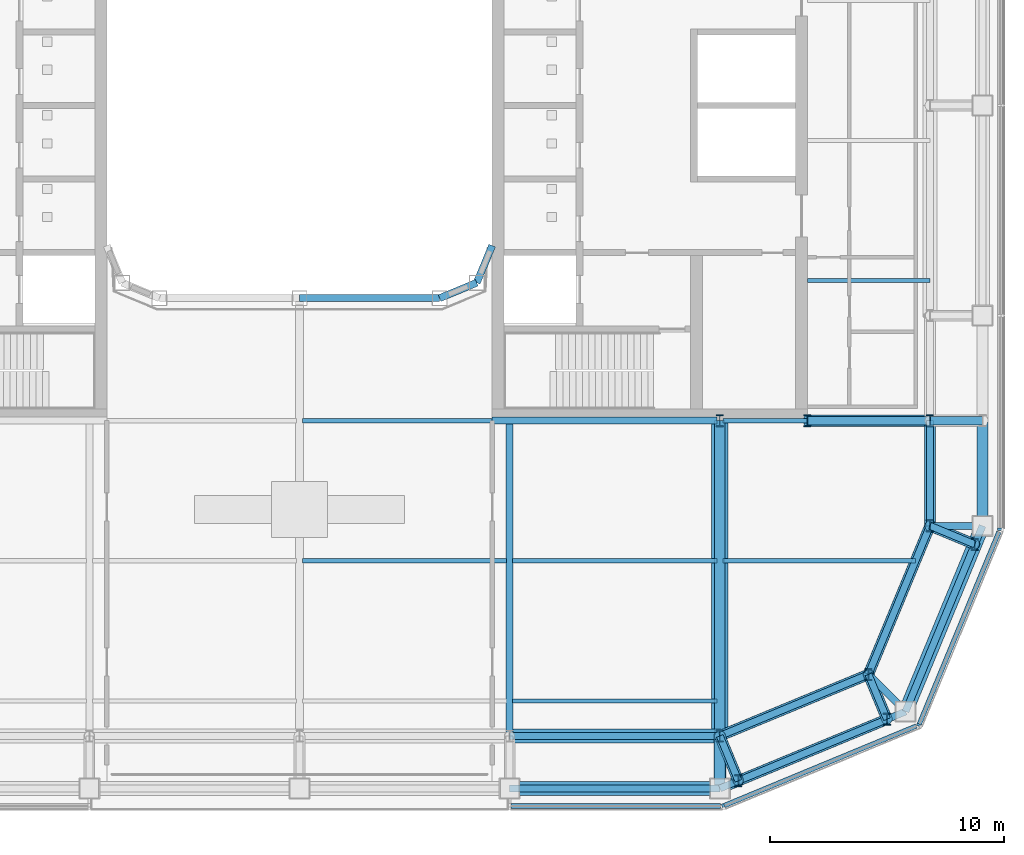
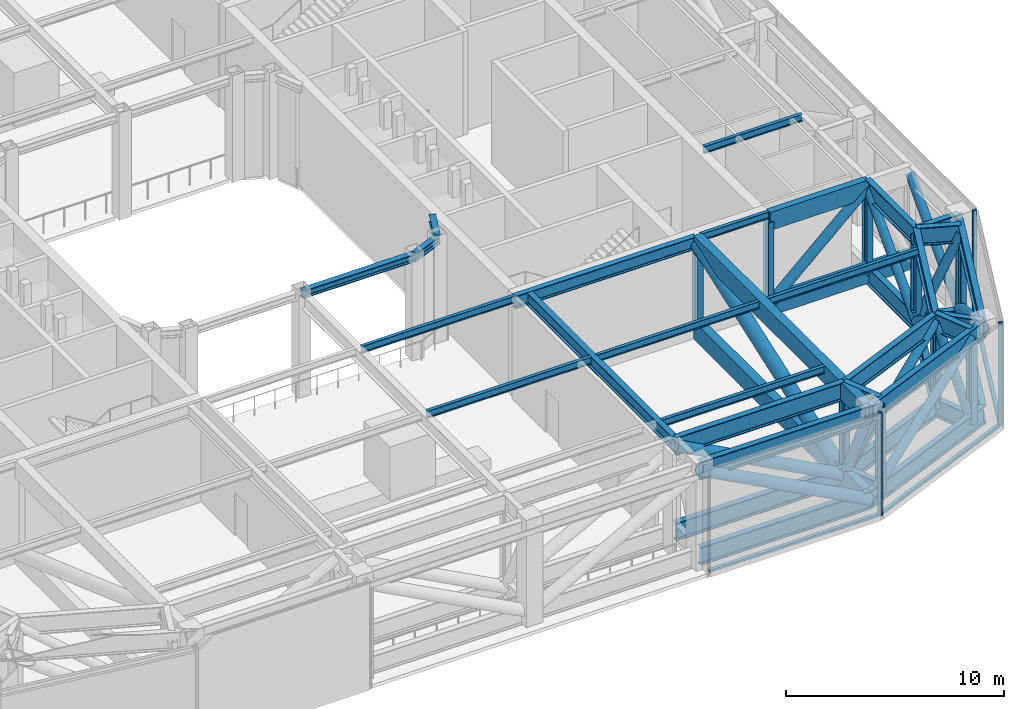
# One storey, part 4 of 22: 39 beams, 29 members, 4 elements without a shape of their own.
"""IFC4 building model written with IfcOpenShell, lengths in metres."""

import ifcopenshell
import ifcopenshell.guid

model = None  # the IFC model being written
_history = None  # IfcOwnerHistory: only IFC2X3 demands one
_inside = {}  # id of a spatial element -> (the spatial element, [elements in it])
_under = {}  # id of a project, library or spatial element -> (it, [spatial elements below it])
_declared = {}  # id of a project -> (the project, [libraries it declares])
_typed = {}  # id of a type object -> (the type object, [elements of that type])
_made_of = {}  # id of a material, layer set ... -> (it, [elements and type objects made of it])


def new_model(schema):
    """Start an empty IFC model of exactly this schema.

    Asked for "IFC4X3", IfcOpenShell would pick the latest addendum, in which some entities
    have other attributes; the version numbers below select the first issue.
    IFC2X3 requires an IfcOwnerHistory on every rooted entity: one is made here for all.
    """
    global model, _history
    if schema == "IFC4X3":
        model = ifcopenshell.file(schema_version=(4, 3, 0, 0))
    else:
        model = ifcopenshell.file(schema=schema)
    _inside.clear()
    _under.clear()
    _declared.clear()
    _typed.clear()
    _made_of.clear()
    _history = None
    if model.schema == "IFC2X3":
        org = make("IfcOrganization", Name="unknown")
        user = make(
            "IfcPersonAndOrganization",
            ThePerson=make("IfcPerson", FamilyName="unknown"),
            TheOrganization=org,
        )
        app = make(
            "IfcApplication",
            ApplicationDeveloper=org,
            Version="unknown",
            ApplicationFullName="unknown",
            ApplicationIdentifier="unknown",
        )
        _history = make(
            "IfcOwnerHistory",
            OwningUser=user,
            OwningApplication=app,
            ChangeAction="ADDED",
            CreationDate=0,
        )
    return model


def make(cls, **values):
    """One entity of the class cls with the attributes given. An attribute that is None is left unset."""
    return model.create_entity(
        cls, **{name: value for name, value in values.items() if value is not None}
    )


def rooted(cls, **values):
    """An entity with a GlobalId (a new one), such as an element, a storey or a relation."""
    return make(cls, GlobalId=ifcopenshell.guid.new(), OwnerHistory=_history, **values)


def si_unit(unit_type, name, prefix=None):
    """IfcSIUnit, for example si_unit("LENGTHUNIT", "METRE", prefix="MILLI")."""
    return make("IfcSIUnit", UnitType=unit_type, Prefix=prefix, Name=name)


def assignment(units):
    """IfcUnitAssignment: the units of a project."""
    return None if units is None else make("IfcUnitAssignment", Units=units)


def point(xyz):
    """IfcCartesianPoint."""
    return None if xyz is None else make("IfcCartesianPoint", Coordinates=xyz)


def direction(xyz):
    """IfcDirection."""
    return None if xyz is None else make("IfcDirection", DirectionRatios=xyz)


def frame(location, z_axis=None, x_axis=None):
    """IfcAxis2Placement3D, a coordinate frame: its origin and axes. An axis left out is left unset."""
    return make(
        "IfcAxis2Placement3D",
        Location=point(location),
        Axis=direction(z_axis),
        RefDirection=direction(x_axis),
    )


def frame_2d(location, x_axis=None):
    """IfcAxis2Placement2D, a coordinate frame in the plane: its origin and x axis."""
    return make(
        "IfcAxis2Placement2D", Location=point(location), RefDirection=direction(x_axis)
    )


def origin():
    """The frame at (0, 0, 0) with its axes left unset."""
    return frame((0.0, 0.0, 0.0))


def origin_2d():
    """The frame at (0, 0) in the plane with its x axis left unset."""
    return frame_2d((0.0, 0.0))


def place(relative_to, where):
    """IfcLocalPlacement: puts the frame where relative to a parent placement (None: the world)."""
    return make(
        "IfcLocalPlacement", PlacementRelTo=relative_to, RelativePlacement=where
    )


def context(
    kind, dimensions, precision=None, world=None, true_north=None, identifier=None
):
    """IfcGeometricRepresentationContext, for example the 3D "Model" context."""
    return make(
        "IfcGeometricRepresentationContext",
        ContextIdentifier=identifier,
        ContextType=kind,
        CoordinateSpaceDimension=dimensions,
        Precision=precision,
        WorldCoordinateSystem=world,
        TrueNorth=true_north,
    )


def subcontext(parent, identifier, kind, view, scale=None):
    """IfcGeometricRepresentationSubContext, for example "Body" below "Model"."""
    return make(
        "IfcGeometricRepresentationSubContext",
        ContextIdentifier=identifier,
        ContextType=kind,
        ParentContext=parent,
        TargetScale=scale,
        TargetView=view,
    )


def project(units=None, contexts=None):
    """IfcProject with its units and contexts."""
    return rooted(
        "IfcProject",
        Name="project",
        RepresentationContexts=contexts,
        UnitsInContext=assignment(units),
    )


def spatial(cls, under=None, at=None, **own):
    """A site, building, storey or space (cls), placed at a placement, below another one or the project."""
    s = rooted(cls, ObjectPlacement=at, **own)
    if under is not None:
        _under.setdefault(under.id(), (under, []))[1].append(s)
    return s


def profile(cls, at=None, kind="AREA", **sizes):
    """A parametric profile (cls). Its sizes go by their IFC names, for example OverallWidth=200.0."""
    return make(cls, ProfileType=kind, Position=at, **sizes)


def rectangle(**sizes):
    """IfcRectangleProfileDef."""
    return profile("IfcRectangleProfileDef", **sizes)


def hollow_rectangle(**sizes):
    """IfcRectangleHollowProfileDef."""
    return profile("IfcRectangleHollowProfileDef", **sizes)


def hollow_circle(**sizes):
    """IfcCircleHollowProfileDef."""
    return profile("IfcCircleHollowProfileDef", **sizes)


def i_section(**sizes):
    """IfcIShapeProfileDef."""
    return profile("IfcIShapeProfileDef", **sizes)


def extrude(swept, where, along, depth):
    """IfcExtrudedAreaSolid: the profile swept, set in the frame where, extruded along a direction by depth."""
    return make(
        "IfcExtrudedAreaSolid",
        SweptArea=swept,
        Position=where,
        ExtrudedDirection=direction(along),
        Depth=depth,
    )


def shape(context_of_items, identifier, shape_type, items):
    """IfcShapeRepresentation: the items that make up one representation, for example the "Body"."""
    return make(
        "IfcShapeRepresentation",
        ContextOfItems=context_of_items,
        RepresentationIdentifier=identifier,
        RepresentationType=shape_type,
        Items=items,
    )


def material(Name=None, Category=None):
    """IfcMaterial."""
    return make("IfcMaterial", Name=Name, Category=Category)


def layer(
    of_material, thickness, ventilated=None, Name=None, Category=None, Priority=None
):
    """IfcMaterialLayer: one layer of a wall or slab, of a material (None: an air gap)."""
    return make(
        "IfcMaterialLayer",
        Material=of_material,
        LayerThickness=thickness,
        IsVentilated=ventilated,
        Name=Name,
        Category=Category,
        Priority=Priority,
    )


def layer_set(layers, Name=None):
    """IfcMaterialLayerSet."""
    return make("IfcMaterialLayerSet", MaterialLayers=layers, LayerSetName=Name)


def material_profile(
    of_material, cross_section, Name=None, Category=None, Priority=None
):
    """IfcMaterialProfile: a cross section and its material."""
    return make(
        "IfcMaterialProfile",
        Name=Name,
        Material=of_material,
        Profile=cross_section,
        Priority=Priority,
        Category=Category,
    )


def profile_set(profiles, Name=None, composite=None):
    """IfcMaterialProfileSet."""
    return make(
        "IfcMaterialProfileSet",
        Name=Name,
        MaterialProfiles=profiles,
        CompositeProfile=composite,
    )


def made_of(thing, what):
    """Note that an element or type object is made of a material, layer set ...; save() writes the relation."""
    if what is not None:
        _made_of.setdefault(what.id(), (what, []))[1].append(thing)
    return thing


def type_object(cls, material=None, **own):
    """A type object (cls), such as IfcWallType, which elements share."""
    return made_of(rooted(cls, **own), material)


def element(
    cls,
    number,
    at=None,
    inside=None,
    cuts=None,
    type_object=None,
    material=None,
    context=None,
    identifier="Body",
    shape_type=None,
    held_by="IfcProductDefinitionShape",
    body=None,
    shapes=None,
    **own,
):
    """One element of the class cls, such as IfcWall. Its Tag is "e" and its number.

    at: its placement. inside: the storey or other place that contains it. cuts: it is an
    opening in that element (IfcRelVoidsElement). A single representation is given by context,
    identifier, shape_type and body (its items); several are given by shapes. held_by: the class
    of the entity that holds the representations. save() writes the other relations.
    """
    e = rooted(cls, Tag="e%d" % number, ObjectPlacement=at, **own)
    if body is not None:
        shapes = [shape(context, identifier, shape_type, body)]
    if shapes is not None:
        e.Representation = make(held_by, Representations=shapes)
    if inside is not None:
        _inside.setdefault(inside.id(), (inside, []))[1].append(e)
    if cuts is not None:
        rooted(
            "IfcRelVoidsElement", RelatingBuildingElement=cuts, RelatedOpeningElement=e
        )
    if type_object is not None:
        _typed.setdefault(type_object.id(), (type_object, []))[1].append(e)
    return made_of(e, material)


def aggregate(whole, parts):
    """IfcRelAggregates: a whole, such as a stair, and the parts it consists of."""
    return rooted("IfcRelAggregates", RelatingObject=whole, RelatedObjects=parts)


def save(model, path):
    """Write the relations noted so far, then the file.

    IfcRelAggregates (storeys below a building ...), IfcRelContainedInSpatialStructure (elements
    in a storey), IfcRelDefinesByType, IfcRelAssociatesMaterial and IfcRelDeclares: one each for
    every whole, place, type object, material and project.
    """
    for whole, parts in _under.values():
        aggregate(whole, parts)
    for where, things in _inside.values():
        rooted(
            "IfcRelContainedInSpatialStructure",
            RelatedElements=things,
            RelatingStructure=where,
        )
    for kind, things in _typed.values():
        rooted("IfcRelDefinesByType", RelatedObjects=things, RelatingType=kind)
    for what, things in _made_of.values():
        rooted("IfcRelAssociatesMaterial", RelatedObjects=things, RelatingMaterial=what)
    for by, libraries in _declared.values():
        rooted("IfcRelDeclares", RelatingContext=by, RelatedDefinitions=libraries)
    model.write(path)


model = new_model("IFC4")

# Units and contexts
model_context = context("Model", 3, precision=1e-05, world=origin(), true_north=direction((0.0, 1.0)))
body_context = subcontext(model_context, "Body", "Model", "MODEL_VIEW")
ifc_project = project(units=[si_unit("LENGTHUNIT", "METRE"), si_unit("AREAUNIT", "SQUARE_METRE"), si_unit("VOLUMEUNIT", "CUBIC_METRE"), si_unit("PLANEANGLEUNIT", "RADIAN"), si_unit("MASSUNIT", "GRAM", prefix="KILO")], contexts=[model_context])

# Site, building, storey
site_placement = place(None, origin())
site = spatial("IfcSite", under=ifc_project, at=site_placement, CompositionType="ELEMENT")
building_placement = place(site_placement, origin())
building = spatial("IfcBuilding", under=site, at=building_placement, Name="Siwar Civic Tower", CompositionType="ELEMENT")
storey_placement = place(building_placement, frame((0.0, 0.0, 181.199951171875)))
storey = spatial("IfcBuildingStorey", under=building, at=storey_placement, Name="L39", CompositionType="ELEMENT", Elevation=181.199951171875)

# Curtain wall, member
ifc_material_1 = material(Name="Aluminium and glass", Category="aluminium")
ifc_layer = layer(ifc_material_1, 0.199951171875)
ifc_layer_set = layer_set([ifc_layer], Name="Aluminium and glass")
curtain_wall_type = type_object("IfcCurtainWallType", Name="ENV-CW-P", PredefinedType="NOTDEFINED", material=ifc_layer_set)
curtain_wall_1_placement = place(storey_placement, origin())
curtain_wall_1 = element("IfcCurtainWall", 1, at=curtain_wall_1_placement, inside=storey, type_object=curtain_wall_type, Name="Curtain wall P SE1", PredefinedType="NOTDEFINED")
ifc_material_2 = material(Name="Aluminium 6063-T6", Category="aluminium")
ifc_material_profile_1 = material_profile(ifc_material_2, rectangle(XDim=0.199951171875, YDim=0.10009765625, at=origin_2d()), Name="AL 200x100")
ifc_profile_set_1 = profile_set([ifc_material_profile_1], Name="Aluminium 6063-T6")
member_type_1 = type_object("IfcMemberType", Name="ENV-MULLION-P", PredefinedType="MULLION", material=ifc_profile_set_1)
member_1_placement = place(storey_placement, frame((18.149169921875, -30.0, 0.0), z_axis=(0.0, 0.0, 1.0), x_axis=(-0.382683432365, 0.923879532511, 0.0)))
member_1 = element("IfcMember", 2, at=member_1_placement, type_object=member_type_1, Name="Mullion P SE1 1", PredefinedType="MULLION", context=body_context, shape_type="SweptSolid", body=[
    extrude(rectangle(XDim=0.199951171875, YDim=0.10009765625, at=origin_2d()), origin(), (0.0, 0.0, 1.0), 5.800048828125),
])

curtain_wall_2_placement = place(storey_placement, origin())
curtain_wall_2 = element("IfcCurtainWall", 3, at=curtain_wall_2_placement, inside=storey, type_object=curtain_wall_type, Name="Curtain wall P SE2", PredefinedType="NOTDEFINED")
member_2_placement = place(storey_placement, frame((26.529052734375, -26.529052734375, 0.0), z_axis=(0.0, 0.0, 1.0), x_axis=(-0.923879532511, 0.382683432365, 0.0)))
member_2 = element("IfcMember", 4, at=member_2_placement, type_object=member_type_1, Name="Mullion P SE2 1", PredefinedType="MULLION", context=body_context, shape_type="SweptSolid", body=[
    extrude(rectangle(XDim=0.199951171875, YDim=0.10009765625, at=origin_2d()), origin(), (0.0, 0.0, 1.0), 5.800048828125),
])

curtain_wall_3_placement = place(storey_placement, origin())
curtain_wall_3 = element("IfcCurtainWall", 5, at=curtain_wall_3_placement, inside=storey, type_object=curtain_wall_type, Name="Curtain wall P E", PredefinedType="NOTDEFINED")
member_3_placement = place(storey_placement, frame((30.0, -18.149169921875, 0.0), z_axis=(0.0, 0.0, 1.0), x_axis=(-1.0, 0.0, 0.0)))
member_3 = element("IfcMember", 6, at=member_3_placement, type_object=member_type_1, Name="Mullion P E 1", PredefinedType="MULLION", context=body_context, shape_type="SweptSolid", body=[
    extrude(rectangle(XDim=0.199951171875, YDim=0.10009765625, at=origin_2d()), origin(), (0.0, 0.0, 1.0), 5.800048828125),
])
aggregate(curtain_wall_3, [member_3])

curtain_wall_4_placement = place(storey_placement, origin())
curtain_wall_4 = element("IfcCurtainWall", 7, at=curtain_wall_4_placement, inside=storey, type_object=curtain_wall_type, Name="Curtain wall P S-03", PredefinedType="NOTDEFINED")
ifc_material_3 = material(Name="Aluminium 6063-T6", Category="aluminium")
ifc_material_profile_2 = material_profile(ifc_material_3, rectangle(XDim=0.199951171875, YDim=0.1201171875, at=origin_2d()), Name="AL 200x120")
ifc_profile_set_2 = profile_set([ifc_material_profile_2], Name="Aluminium 6063-T6")
member_type_2 = type_object("IfcMemberType", Name="ENV-TRANSOM-P", PredefinedType="USERDEFINED", material=ifc_profile_set_2)
member_4_placement = place(storey_placement, frame((9.050048828125, -30.0, 0.06005859375), z_axis=(1.0, 0.0, 0.0), x_axis=(0.0, 1.0, 0.0)))
member_4 = element("IfcMember", 8, at=member_4_placement, type_object=member_type_2, Name="Transom P S-03 1", ObjectType="TRANSOM", PredefinedType="USERDEFINED", context=body_context, shape_type="SweptSolid", body=[
    extrude(rectangle(XDim=0.199951171875, YDim=0.1201171875, at=origin_2d()), origin(), (0.0, 0.0, 1.0), 8.97314453125),
])
aggregate(curtain_wall_4, [member_4])

# Member
member_5_placement = place(storey_placement, frame((18.1953125, -29.98095703125, 0.06005859375), z_axis=(0.9238756514, 0.382692802062, 0.0), x_axis=(-0.382692802062, 0.9238756514, 0.0)))
member_5 = element("IfcMember", 9, at=member_5_placement, type_object=member_type_2, Name="Transom P SE1 1", ObjectType="TRANSOM", PredefinedType="USERDEFINED", context=body_context, shape_type="SweptSolid", body=[
    extrude(rectangle(XDim=0.199951171875, YDim=0.1201171875, at=origin_2d()), origin(), (0.0, 0.0, 1.0), 8.894287109375),
])

aggregate(curtain_wall_1, [member_1, member_5])

member_6_placement = place(storey_placement, frame((26.548095703125, -26.482666015625, 0.06005859375), z_axis=(0.382679077463, 0.923881336359, 0.0), x_axis=(-0.923881336359, 0.382679077463, 0.0)))
member_6 = element("IfcMember", 10, at=member_6_placement, type_object=member_type_2, Name="Transom P SE2 1", ObjectType="TRANSOM", PredefinedType="USERDEFINED", context=body_context, shape_type="SweptSolid", body=[
    extrude(rectangle(XDim=0.199951171875, YDim=0.1201171875, at=origin_2d()), origin(), (0.0, 0.0, 1.0), 8.89404296875),
])

aggregate(curtain_wall_2, [member_2, member_6])

# Beams
ifc_material_4 = material(Name="Steel S460", Category="steel")
ifc_material_profile_3 = material_profile(ifc_material_4, i_section(OverallWidth=0.302001953125, OverallDepth=1.008056640625, WebThickness=0.02099609375, FlangeThickness=0.0400390625, FilletRadius=0.030029296875, at=origin_2d()), Name="HEM1000")
ifc_profile_set_3 = profile_set([ifc_material_profile_3], Name="Steel S460")
beam_type_1 = type_object("IfcBeamType", Name="STR-BELT-TRUSS-CHORD-HEM1000", PredefinedType="BEAM", material=ifc_profile_set_3)
for number, where, z_axis, x_axis, name in (
    (11, (9.0, -27.0, 0.504150390625), (1.0, 0.0, 0.0), (0.0, 1.0, 0.0), "Belt truss chord"),
    (12, (9.0, -27.0, 5.296142578125), (1.0, 0.0, 0.0), (0.0, 1.0, 0.0), "Belt truss chord"),
):
    element("IfcBeam", number, at=place(storey_placement, frame(where, z_axis=z_axis, x_axis=x_axis)), inside=storey, type_object=beam_type_1, Name=name, PredefinedType="BEAM", context=body_context, shape_type="SweptSolid", body=[
        extrude(i_section(OverallWidth=0.302001953125, OverallDepth=1.008056640625, WebThickness=0.02099609375, FlangeThickness=0.0400390625, FilletRadius=0.030029296875, at=origin_2d()), origin(), (0.0, 0.0, 1.0), 9.0),
    ])
for number, where, z_axis, x_axis, name in (
    (13, (18.0, -27.0, 0.504150390625), (0.923883353507, 0.382674207535, 0.0), (-0.382674207535, 0.923883353507, 0.0), "Belt truss chord"),
    (14, (18.0, -27.0, 5.296142578125), (0.923883353507, 0.382674207535, 0.0), (-0.382674207535, 0.923883353507, 0.0), "Belt truss chord"),
    (15, (24.364013671875, -24.364013671875, 0.504150390625), (0.382674207535, 0.923883353507, 0.0), (-0.923883353507, 0.382674207535, 0.0), "Belt truss chord"),
    (16, (24.364013671875, -24.364013671875, 5.296142578125), (0.382674207535, 0.923883353507, 0.0), (-0.923883353507, 0.382674207535, 0.0), "Belt truss chord"),
):
    element("IfcBeam", number, at=place(storey_placement, frame(where, z_axis=z_axis, x_axis=x_axis)), inside=storey, type_object=beam_type_1, Name=name, PredefinedType="BEAM", context=body_context, shape_type="SweptSolid", body=[
        extrude(i_section(OverallWidth=0.302001953125, OverallDepth=1.008056640625, WebThickness=0.02099609375, FlangeThickness=0.0400390625, FilletRadius=0.030029296875, at=origin_2d()), origin(), (0.0, 0.0, 1.0), 6.888427734375),
    ])
for number, where, z_axis, x_axis, name in (
    (17, (27.0, -18.0, 0.504150390625), (0.0, 1.0, 0.0), (-1.0, 0.0, 0.0), "Belt truss chord"),
    (18, (27.0, -18.0, 5.296142578125), (0.0, 1.0, 0.0), (-1.0, 0.0, 0.0), "Belt truss chord"),
):
    element("IfcBeam", number, at=place(storey_placement, frame(where, z_axis=z_axis, x_axis=x_axis)), inside=storey, type_object=beam_type_1, Name=name, PredefinedType="BEAM", context=body_context, shape_type="SweptSolid", body=[
        extrude(i_section(OverallWidth=0.302001953125, OverallDepth=1.008056640625, WebThickness=0.02099609375, FlangeThickness=0.0400390625, FilletRadius=0.030029296875, at=origin_2d()), origin(), (0.0, 0.0, 1.0), 4.5),
    ])
for number, where, z_axis, x_axis, name in (
    (19, (9.0, -29.25, 0.504150390625), (1.0, 0.0, 0.0), (0.0, 1.0, 0.0), "Belt truss chord"),
    (20, (9.0, -29.25, 5.296142578125), (1.0, 0.0, 0.0), (0.0, 1.0, 0.0), "Belt truss chord"),
):
    element("IfcBeam", number, at=place(storey_placement, frame(where, z_axis=z_axis, x_axis=x_axis)), inside=storey, type_object=beam_type_1, Name=name, PredefinedType="BEAM", context=body_context, shape_type="SweptSolid", body=[
        extrude(i_section(OverallWidth=0.302001953125, OverallDepth=1.008056640625, WebThickness=0.02099609375, FlangeThickness=0.0400390625, FilletRadius=0.030029296875, at=origin_2d()), origin(), (0.0, 0.0, 1.0), 9.0),
    ])
for number, where, z_axis, x_axis, name in (
    (21, (18.0, -29.25, 0.504150390625), (0.923872720536, 0.382699877515, 0.0), (-0.382699877515, 0.923872720536, 0.0), "Belt truss chord"),
    (22, (18.0, -29.25, 5.296142578125), (0.923872720536, 0.382699877515, 0.0), (-0.382699877515, 0.923872720536, 0.0), "Belt truss chord"),
    (23, (25.954833984375, -25.954833984375, 0.504150390625), (0.382699877515, 0.923872720536, 0.0), (-0.923872720536, 0.382699877515, 0.0), "Belt truss chord"),
    (24, (25.954833984375, -25.954833984375, 5.296142578125), (0.382699877515, 0.923872720536, 0.0), (-0.923872720536, 0.382699877515, 0.0), "Belt truss chord"),
):
    element("IfcBeam", number, at=place(storey_placement, frame(where, z_axis=z_axis, x_axis=x_axis)), inside=storey, type_object=beam_type_1, Name=name, PredefinedType="BEAM", context=body_context, shape_type="SweptSolid", body=[
        extrude(i_section(OverallWidth=0.302001953125, OverallDepth=1.008056640625, WebThickness=0.02099609375, FlangeThickness=0.0400390625, FilletRadius=0.030029296875, at=origin_2d()), origin(), (0.0, 0.0, 1.0), 8.6103515625),
    ])

# Members
ifc_material_5 = material(Name="Steel S355", Category="steel")
ifc_material_profile_4 = material_profile(ifc_material_5, hollow_circle(Radius=0.228515625, WallThickness=0.02001953125, at=origin_2d()), Name="CHS457x20")
ifc_profile_set_4 = profile_set([ifc_material_profile_4], Name="Steel S355")
member_type_3 = type_object("IfcMemberType", Name="STR-BELT-TRUSS-DIAGONAL-CHS457x20", PredefinedType="BRACE", material=ifc_profile_set_4)
for number, where, z_axis, x_axis, name in (
    (25, (17.99609375, -27.00146484375, 0.501220703125), (0.758418164088, 0.314142859752, 0.571065803606), (-0.38267903437, 0.923881354208, 0.0), "Belt truss diagonal"),
    (26, (27.00146484375, -17.99609375, 0.501220703125), (-0.314142859752, -0.758418164088, 0.571065803606), (0.923881354208, -0.38267903437, 0.0), "Belt truss diagonal"),
):
    element("IfcMember", number, at=place(storey_placement, frame(where, z_axis=z_axis, x_axis=x_axis)), inside=storey, type_object=member_type_3, Name=name, PredefinedType="BRACE", context=body_context, shape_type="SweptSolid", body=[
        extrude(hollow_circle(Radius=0.228515625, WallThickness=0.02001953125, at=origin_2d()), origin(), (0.0, 0.0, 1.0), 8.401123046875),
    ])
member_7_placement = place(storey_placement, frame((27.0, -18.00341796875, 0.50048828125), z_axis=(0.0, 0.684545317859, 0.728970306526), x_axis=(-1.0, 0.0, 0.0)))
element("IfcMember", 27, at=member_7_placement, inside=storey, type_object=member_type_3, Name="Belt truss diagonal", PredefinedType="BRACE", context=body_context, shape_type="SweptSolid", body=[
    extrude(hollow_circle(Radius=0.228515625, WallThickness=0.02001953125, at=origin_2d()), origin(), (0.0, 0.0, 1.0), 6.583740234375),
])
member_8_placement = place(storey_placement, frame((17.99609375, -29.251708984375, 0.50146484375), z_axis=(0.785776531187, 0.325504254378, 0.525929865493), x_axis=(-0.38270847917, 0.923869157387, 0.0)))
element("IfcMember", 28, at=member_8_placement, inside=storey, type_object=member_type_3, Name="Belt truss diagonal", PredefinedType="BRACE", context=body_context, shape_type="SweptSolid", body=[
    extrude(hollow_circle(Radius=0.228515625, WallThickness=0.02001953125, at=origin_2d()), origin(), (0.0, 0.0, 1.0), 9.12109375),
])
member_9_placement = place(storey_placement, frame((29.25, -18.00341796875, 0.50048828125), z_axis=(0.0, 0.684545317859, 0.728970306526), x_axis=(-1.0, 0.0, 0.0)))
element("IfcMember", 29, at=member_9_placement, inside=storey, type_object=member_type_3, Name="Belt truss diagonal", PredefinedType="BRACE", context=body_context, shape_type="SweptSolid", body=[
    extrude(hollow_circle(Radius=0.228515625, WallThickness=0.02001953125, at=origin_2d()), origin(), (0.0, 0.0, 1.0), 6.583740234375),
])
for number, where, z_axis, x_axis, name in (
    (30, (17.999267578125, -26.998046875, 0.49951171875), (0.15226891252, -0.367703299168, 0.917392207325), (0.923913980191, 0.382600257719, 0.0), "Belt truss diagonal"),
    (31, (25.16015625, -26.286376953125, 0.49951171875), (-0.15226891252, 0.367703299168, 0.917392207325), (-0.923913980191, -0.382600257719, 0.0), "Belt truss diagonal"),
    (32, (26.998046875, -17.999267578125, 0.49951171875), (0.367703299168, -0.15226891252, 0.917392207325), (0.382600257719, 0.923913980191, 0.0), "Belt truss diagonal"),
):
    element("IfcMember", number, at=place(storey_placement, frame(where, z_axis=z_axis, x_axis=x_axis)), inside=storey, type_object=member_type_3, Name=name, PredefinedType="BRACE", context=body_context, shape_type="SweptSolid", body=[
        extrude(hollow_circle(Radius=0.228515625, WallThickness=0.02001953125, at=origin_2d()), origin(), (0.0, 0.0, 1.0), 5.2333984375),
    ])
ifc_material_6 = material(Name="Steel S355", Category="steel")
ifc_material_profile_5 = material_profile(ifc_material_6, hollow_circle(Radius=0.304931640625, WallThickness=0.030029296875, at=origin_2d()), Name="CHS610x30")
ifc_profile_set_5 = profile_set([ifc_material_profile_5], Name="Steel S355")
member_type_4 = type_object("IfcMemberType", Name="STR-BELT-TRUSS-DIAGONAL-CHS610x30", PredefinedType="BRACE", material=ifc_profile_set_5)
for number, where, z_axis, x_axis, name in (
    (33, (18.00439453125, -27.0, 0.501708984375), (-0.882680501151, 0.0, 0.469973544881), (0.0, -1.0, 0.0), "Belt truss diagonal"),
    (34, (18.00439453125, -29.25, 0.501708984375), (-0.882680501151, 0.0, 0.469973544881), (0.0, -1.0, 0.0), "Belt truss diagonal"),
):
    element("IfcMember", number, at=place(storey_placement, frame(where, z_axis=z_axis, x_axis=x_axis)), inside=storey, type_object=member_type_4, Name=name, PredefinedType="BRACE", context=body_context, shape_type="SweptSolid", body=[
        extrude(hollow_circle(Radius=0.304931640625, WallThickness=0.030029296875, at=origin_2d()), origin(), (0.0, 0.0, 1.0), 10.2060546875),
    ])
member_10_placement = place(storey_placement, frame((29.251708984375, -17.995849609375, 0.501708984375), z_axis=(-0.334378008671, -0.807284049506, 0.486296011427), x_axis=(0.923883575944, -0.382673670509, 0.0)))
element("IfcMember", 35, at=member_10_placement, inside=storey, type_object=member_type_4, Name="Belt truss diagonal", PredefinedType="BRACE", context=body_context, shape_type="SweptSolid", body=[
    extrude(hollow_circle(Radius=0.304931640625, WallThickness=0.030029296875, at=origin_2d()), origin(), (0.0, 0.0, 1.0), 9.864013671875),
])

# Beams
ifc_material_7 = material(Name="Steel S460", Category="steel")
ifc_material_profile_6 = material_profile(ifc_material_7, i_section(OverallWidth=0.302001953125, OverallDepth=1.008056640625, WebThickness=0.02099609375, FlangeThickness=0.0400390625, FilletRadius=0.030029296875, at=origin_2d()), Name="HEM1000")
ifc_profile_set_6 = profile_set([ifc_material_profile_6], Name="Steel S460")
beam_type_2 = type_object("IfcBeamType", Name="STR-BELT-TRUSS-LADDER-CHORD-HEM1000", PredefinedType="BEAM", material=ifc_profile_set_6)
for number, where, z_axis, x_axis, name in (
    (36, (18.0, -27.0, 0.504150390625), (0.382662992588, -0.923887998679, 0.0), (0.923887998679, 0.382662992588, 0.0), "Belt truss ladder chord"),
    (37, (18.0, -27.0, 5.296142578125), (0.382662992588, -0.923887998679, 0.0), (0.923887998679, 0.382662992588, 0.0), "Belt truss ladder chord"),
    (38, (24.364013671875, -24.364013671875, 0.504150390625), (0.382662992588, -0.923887998679, 0.0), (0.923887998679, 0.382662992588, 0.0), "Belt truss ladder chord"),
    (39, (24.364013671875, -24.364013671875, 5.296142578125), (0.382662992588, -0.923887998679, 0.0), (0.923887998679, 0.382662992588, 0.0), "Belt truss ladder chord"),
    (40, (27.0, -18.0, 0.504150390625), (0.923887998679, -0.382662992588, 0.0), (0.382662992588, 0.923887998679, 0.0), "Belt truss ladder chord"),
    (41, (27.0, -18.0, 5.296142578125), (0.923887998679, -0.382662992588, 0.0), (0.382662992588, 0.923887998679, 0.0), "Belt truss ladder chord"),
):
    element("IfcBeam", number, at=place(storey_placement, frame(where, z_axis=z_axis, x_axis=x_axis)), inside=storey, type_object=beam_type_2, Name=name, PredefinedType="BEAM", context=body_context, shape_type="SweptSolid", body=[
        extrude(i_section(OverallWidth=0.302001953125, OverallDepth=1.008056640625, WebThickness=0.02099609375, FlangeThickness=0.0400390625, FilletRadius=0.030029296875, at=origin_2d()), origin(), (0.0, 0.0, 1.0), 2.07861328125),
    ])

# Members
ifc_material_8 = material(Name="Steel S355", Category="steel")
ifc_material_profile_7 = material_profile(ifc_material_8, i_section(OverallWidth=0.300048828125, OverallDepth=0.5, WebThickness=0.014404296875, FlangeThickness=0.028076171875, FilletRadius=0.027099609375, at=origin_2d()), Name="HEB500")
ifc_profile_set_7 = profile_set([ifc_material_profile_7], Name="Steel S355")
member_type_5 = type_object("IfcMemberType", Name="STR-BELT-TRUSS-POST-HEB500", PredefinedType="POST", material=ifc_profile_set_7)
for number, where, z_axis, x_axis, name in (
    (42, (18.0, -27.0, 0.504150390625), (0.0, 0.0, 1.0), (1.0, 0.0, 0.0), "Belt truss post"),
    (43, (18.79541015625, -28.92041015625, 0.504150390625), (0.0, 0.0, 1.0), (1.0, 0.0, 0.0), "Belt truss post"),
    (44, (24.364013671875, -24.364013671875, 0.504150390625), (0.0, 0.0, 1.0), (1.0, 0.0, 0.0), "Belt truss post"),
    (45, (25.159423828125, -26.284423828125, 0.504150390625), (0.0, 0.0, 1.0), (1.0, 0.0, 0.0), "Belt truss post"),
    (46, (27.0, -18.0, 0.504150390625), (0.0, 0.0, 1.0), (1.0, 0.0, 0.0), "Belt truss post"),
    (47, (27.0, -13.5, 0.504150390625), (0.0, 0.0, 1.0), (1.0, 0.0, 0.0), "Belt truss post"),
    (48, (28.92041015625, -18.79541015625, 0.504150390625), (0.0, 0.0, 1.0), (1.0, 0.0, 0.0), "Belt truss post"),
):
    element("IfcMember", number, at=place(storey_placement, frame(where, z_axis=z_axis, x_axis=x_axis)), inside=storey, type_object=member_type_5, Name=name, PredefinedType="POST", context=body_context, shape_type="SweptSolid", body=[
        extrude(i_section(OverallWidth=0.300048828125, OverallDepth=0.5, WebThickness=0.014404296875, FlangeThickness=0.028076171875, FilletRadius=0.027099609375, at=origin_2d()), origin(), (0.0, 0.0, 1.0), 4.7919921875),
    ])

# Beams
ifc_material_9 = material(Name="Steel S355", Category="steel")
ifc_material_profile_8 = material_profile(ifc_material_9, i_section(OverallWidth=0.179931640625, OverallDepth=0.39990234375, WebThickness=0.008544921875, FlangeThickness=0.013427734375, FilletRadius=0.02099609375, at=origin_2d()), Name="IPE400")
ifc_profile_set_8 = profile_set([ifc_material_profile_8], Name="Steel S355")
beam_type_3 = type_object("IfcBeamType", Name="STR-FB-IPE400", PredefinedType="JOIST", material=ifc_profile_set_8)
for number, where, z_axis, x_axis, name in (
    (49, (9.1298828125, -25.5, 5.60009765625), (1.0, 0.0, 0.0), (0.0, 1.0, 0.0), "L39/bm/F004"),
    (50, (0.1298828125, -19.5, 5.60009765625), (1.0, 0.0, 0.0), (0.0, 1.0, 0.0), "L39/bm/F008"),
    (51, (9.1298828125, -19.5, 5.60009765625), (1.0, 0.0, 0.0), (0.0, 1.0, 0.0), "L39/bm/F009"),
):
    element("IfcBeam", number, at=place(storey_placement, frame(where, z_axis=z_axis, x_axis=x_axis)), inside=storey, type_object=beam_type_3, Name=name, PredefinedType="JOIST", context=body_context, shape_type="SweptSolid", body=[
        extrude(i_section(OverallWidth=0.179931640625, OverallDepth=0.39990234375, WebThickness=0.008544921875, FlangeThickness=0.013427734375, FilletRadius=0.02099609375, at=origin_2d()), origin(), (0.0, 0.0, 1.0), 8.740234375),
    ])
beam_1_placement = place(storey_placement, frame((18.1298828125, -19.5, 5.60009765625), z_axis=(1.0, 0.0, 0.0), x_axis=(0.0, 1.0, 0.0)))
element("IfcBeam", 52, at=beam_1_placement, inside=storey, type_object=beam_type_3, Name="L39/bm/F010", PredefinedType="JOIST", context=body_context, shape_type="SweptSolid", body=[
    extrude(i_section(OverallWidth=0.179931640625, OverallDepth=0.39990234375, WebThickness=0.008544921875, FlangeThickness=0.013427734375, FilletRadius=0.02099609375, at=origin_2d()), origin(), (0.0, 0.0, 1.0), 8.248779296875),
])
beam_2_placement = place(storey_placement, frame((0.1298828125, -13.5, 5.60009765625), z_axis=(1.0, 0.0, 0.0), x_axis=(0.0, 1.0, 0.0)))
element("IfcBeam", 53, at=beam_2_placement, inside=storey, type_object=beam_type_3, Name="L39/bm/F014", PredefinedType="JOIST", context=body_context, shape_type="SweptSolid", body=[
    extrude(i_section(OverallWidth=0.179931640625, OverallDepth=0.39990234375, WebThickness=0.008544921875, FlangeThickness=0.013427734375, FilletRadius=0.02099609375, at=origin_2d()), origin(), (0.0, 0.0, 1.0), 8.1201171875),
])
beam_3_placement = place(storey_placement, frame((18.1298828125, -13.5, 5.60009765625), z_axis=(1.0, 0.0, 0.0), x_axis=(0.0, 1.0, 0.0)))
element("IfcBeam", 54, at=beam_3_placement, inside=storey, type_object=beam_type_3, Name="L39/bm/F016", PredefinedType="JOIST", context=body_context, shape_type="SweptSolid", body=[
    extrude(i_section(OverallWidth=0.179931640625, OverallDepth=0.39990234375, WebThickness=0.008544921875, FlangeThickness=0.013427734375, FilletRadius=0.02099609375, at=origin_2d()), origin(), (0.0, 0.0, 1.0), 3.6201171875),
])
beam_4_placement = place(storey_placement, frame((21.75, -7.5, 5.60009765625), z_axis=(1.0, 0.0, 0.0), x_axis=(0.0, 1.0, 0.0)))
element("IfcBeam", 55, at=beam_4_placement, inside=storey, type_object=beam_type_3, Name="L39/bm/F018", PredefinedType="JOIST", context=body_context, shape_type="SweptSolid", body=[
    extrude(i_section(OverallWidth=0.179931640625, OverallDepth=0.39990234375, WebThickness=0.008544921875, FlangeThickness=0.013427734375, FilletRadius=0.02099609375, at=origin_2d()), origin(), (0.0, 0.0, 1.0), 5.25),
])
ifc_material_10 = material(Name="Steel S460", Category="steel")
ifc_material_profile_9 = material_profile(ifc_material_10, hollow_rectangle(XDim=0.35009765625, YDim=1.008056640625, WallThickness=0.0400390625, at=origin_2d()), Name="BOX1008x350x40")
ifc_profile_set_9 = profile_set([ifc_material_profile_9], Name="Steel S460")
beam_type_4 = type_object("IfcBeamType", Name="STR-OUTRIGGER-TRUSS-CHORD-BOX1008x350x40", PredefinedType="BEAM", material=ifc_profile_set_9)
beam_5_placement = place(storey_placement, frame((29.25, -13.5, 0.504150390625), z_axis=(-1.0, 0.0, 0.0), x_axis=(0.0, -1.0, 0.0)))
element("IfcBeam", 56, at=beam_5_placement, inside=storey, type_object=beam_type_4, Name="Outrigger truss chord", PredefinedType="BEAM", context=body_context, shape_type="SweptSolid", body=[
    extrude(hollow_rectangle(XDim=0.35009765625, YDim=1.008056640625, WallThickness=0.0400390625, at=origin_2d()), origin(), (0.0, 0.0, 1.0), 2.25),
])
for number, where, z_axis, x_axis, name in (
    (57, (27.0, -13.5, 0.504150390625), (-1.0, 0.0, 0.0), (0.0, -1.0, 0.0), "Outrigger truss chord"),
    (58, (27.0, -13.5, 5.296142578125), (-1.0, 0.0, 0.0), (0.0, -1.0, 0.0), "Outrigger truss chord"),
):
    element("IfcBeam", number, at=place(storey_placement, frame(where, z_axis=z_axis, x_axis=x_axis)), inside=storey, type_object=beam_type_4, Name=name, PredefinedType="BEAM", context=body_context, shape_type="SweptSolid", body=[
        extrude(hollow_rectangle(XDim=0.35009765625, YDim=1.008056640625, WallThickness=0.0400390625, at=origin_2d()), origin(), (0.0, 0.0, 1.0), 5.25),
    ])
ifc_material_11 = material(Name="Steel S460", Category="steel")
ifc_material_profile_10 = material_profile(ifc_material_11, hollow_rectangle(XDim=0.449951171875, YDim=1.008056640625, WallThickness=0.044921875, at=origin_2d()), Name="BOX1008x450x45")
ifc_profile_set_10 = profile_set([ifc_material_profile_10], Name="Steel S460")
beam_type_5 = type_object("IfcBeamType", Name="STR-OUTRIGGER-TRUSS-CHORD-BOX1008x450x45", PredefinedType="BEAM", material=ifc_profile_set_10)
for number, where, z_axis, x_axis, name in (
    (59, (18.0, -29.25, 0.504150390625), (0.0, 1.0, 0.0), (-1.0, 0.0, 0.0), "Outrigger truss chord"),
    (60, (18.0, -29.25, 5.296142578125), (0.0, 1.0, 0.0), (-1.0, 0.0, 0.0), "Outrigger truss chord"),
):
    element("IfcBeam", number, at=place(storey_placement, frame(where, z_axis=z_axis, x_axis=x_axis)), inside=storey, type_object=beam_type_5, Name=name, PredefinedType="BEAM", context=body_context, shape_type="SweptSolid", body=[
        extrude(hollow_rectangle(XDim=0.449951171875, YDim=1.008056640625, WallThickness=0.044921875, at=origin_2d()), origin(), (0.0, 0.0, 1.0), 15.75),
    ])

# Members
ifc_material_12 = material(Name="Steel S355", Category="steel")
ifc_material_profile_11 = material_profile(ifc_material_12, hollow_circle(Radius=0.25390625, WallThickness=0.02490234375, at=origin_2d()), Name="CHS508x25")
ifc_profile_set_11 = profile_set([ifc_material_profile_11], Name="Steel S355")
member_type_6 = type_object("IfcMemberType", Name="STR-OUTRIGGER-TRUSS-DIAGONAL-CHS508x25", PredefinedType="BRACE", material=ifc_profile_set_11)
member_11_placement = place(storey_placement, frame((21.746337890625, -13.5, 0.500732421875), z_axis=(0.738596124999, 0.0, 0.674148176691), x_axis=(0.0, 1.0, 0.0)))
element("IfcMember", 61, at=member_11_placement, inside=storey, type_object=member_type_6, Name="Outrigger truss diagonal", PredefinedType="BRACE", context=body_context, shape_type="SweptSolid", body=[
    extrude(hollow_circle(Radius=0.25390625, WallThickness=0.02490234375, at=origin_2d()), origin(), (0.0, 0.0, 1.0), 7.117919921875),
])
member_12_placement = place(storey_placement, frame((18.0, -26.997802734375, 0.49951171875), z_axis=(0.0, -0.425038765055, 0.905175147803), x_axis=(1.0, 0.0, 0.0)))
element("IfcMember", 62, at=member_12_placement, inside=storey, type_object=member_type_6, Name="Outrigger truss diagonal", PredefinedType="BRACE", context=body_context, shape_type="SweptSolid", body=[
    extrude(hollow_circle(Radius=0.25390625, WallThickness=0.02490234375, at=origin_2d()), origin(), (0.0, 0.0, 1.0), 5.303955078125),
])
ifc_material_13 = material(Name="Steel S355", Category="steel")
ifc_material_profile_12 = material_profile(ifc_material_13, hollow_circle(Radius=0.35546875, WallThickness=0.0400390625, at=origin_2d()), Name="CHS711x40")
ifc_profile_set_12 = profile_set([ifc_material_profile_12], Name="Steel S355")
member_type_7 = type_object("IfcMemberType", Name="STR-OUTRIGGER-TRUSS-DIAGONAL-CHS711x40", PredefinedType="BRACE", material=ifc_profile_set_12)
member_13_placement = place(storey_placement, frame((18.0, -27.004638671875, 0.50244140625), z_axis=(0.0, 0.942393631348, 0.334505969446), x_axis=(-1.0, 0.0, 0.0)))
element("IfcMember", 63, at=member_13_placement, inside=storey, type_object=member_type_7, Name="Outrigger truss diagonal", PredefinedType="BRACE", context=body_context, shape_type="SweptSolid", body=[
    extrude(hollow_circle(Radius=0.35546875, WallThickness=0.0400390625, at=origin_2d()), origin(), (0.0, 0.0, 1.0), 14.3349609375),
])
ifc_material_14 = material(Name="Steel S355", Category="steel")
ifc_material_profile_13 = material_profile(ifc_material_14, i_section(OverallWidth=0.300048828125, OverallDepth=0.5, WebThickness=0.014404296875, FlangeThickness=0.028076171875, FilletRadius=0.027099609375, at=origin_2d()), Name="HEB500")
ifc_profile_set_13 = profile_set([ifc_material_profile_13], Name="Steel S355")
member_type_8 = type_object("IfcMemberType", Name="STR-OUTRIGGER-TRUSS-POST-HEB500", PredefinedType="POST", material=ifc_profile_set_13)
for number, where, z_axis, x_axis, name in (
    (64, (18.0, -13.5, 0.504150390625), (0.0, 0.0, 1.0), (1.0, 0.0, 0.0), "Outrigger truss post"),
    (65, (21.75, -13.5, 0.504150390625), (0.0, 0.0, 1.0), (1.0, 0.0, 0.0), "Outrigger truss post"),
):
    element("IfcMember", number, at=place(storey_placement, frame(where, z_axis=z_axis, x_axis=x_axis)), inside=storey, type_object=member_type_8, Name=name, PredefinedType="POST", context=body_context, shape_type="SweptSolid", body=[
        extrude(i_section(OverallWidth=0.300048828125, OverallDepth=0.5, WebThickness=0.014404296875, FlangeThickness=0.028076171875, FilletRadius=0.027099609375, at=origin_2d()), origin(), (0.0, 0.0, 1.0), 4.7919921875),
    ])

# Beams
ifc_material_15 = material(Name="Steel S355", Category="steel")
ifc_material_profile_14 = material_profile(ifc_material_15, i_section(OverallWidth=0.300048828125, OverallDepth=0.699951171875, WebThickness=0.01708984375, FlangeThickness=0.031982421875, FilletRadius=0.027099609375, at=origin_2d()), Name="HEB700")
ifc_profile_set_14 = profile_set([ifc_material_profile_14], Name="Steel S355")
beam_type_6 = type_object("IfcBeamType", Name="STR-PG-HEB700", PredefinedType="BEAM", material=ifc_profile_set_14)
beam_6_placement = place(storey_placement, frame((9.0, -27.0, 5.449951171875), z_axis=(0.0, 1.0, 0.0), x_axis=(-1.0, 0.0, 0.0)))
element("IfcBeam", 66, at=beam_6_placement, inside=storey, type_object=beam_type_6, Name="L39/bm/G05", PredefinedType="BEAM", context=body_context, shape_type="SweptSolid", body=[
    extrude(i_section(OverallWidth=0.300048828125, OverallDepth=0.699951171875, WebThickness=0.01708984375, FlangeThickness=0.031982421875, FilletRadius=0.027099609375, at=origin_2d()), origin(), (0.0, 0.0, 1.0), 13.5),
])
beam_7_placement = place(storey_placement, frame((8.25, -13.5, 5.449951171875), z_axis=(1.0, 0.0, 0.0), x_axis=(0.0, 1.0, 0.0)))
element("IfcBeam", 67, at=beam_7_placement, inside=storey, type_object=beam_type_6, Name="L39/bm/F015", PredefinedType="BEAM", context=body_context, shape_type="SweptSolid", body=[
    extrude(i_section(OverallWidth=0.300048828125, OverallDepth=0.699951171875, WebThickness=0.01708984375, FlangeThickness=0.031982421875, FilletRadius=0.027099609375, at=origin_2d()), origin(), (0.0, 0.0, 1.0), 9.6201171875),
])
ifc_material_16 = material(Name="Steel S355", Category="steel")
ifc_material_profile_15 = material_profile(ifc_material_16, i_section(OverallWidth=0.306884765625, OverallDepth=0.431884765625, WebThickness=0.02099609375, FlangeThickness=0.0400390625, FilletRadius=0.027099609375, at=origin_2d()), Name="HEM400")
ifc_profile_set_15 = profile_set([ifc_material_profile_15], Name="Steel S355")
beam_type_7 = type_object("IfcBeamType", Name="STR-RB-HEM400", PredefinedType="BEAM", material=ifc_profile_set_15)
beam_8_placement = place(storey_placement, frame((0.0, -8.25, 5.583984375), z_axis=(1.0, 0.0, 0.0), x_axis=(0.0, 1.0, 0.0)))
element("IfcBeam", 68, at=beam_8_placement, inside=storey, type_object=beam_type_7, Name="L39/bm/RS2", PredefinedType="BEAM", context=body_context, shape_type="SweptSolid", body=[
    extrude(i_section(OverallWidth=0.306884765625, OverallDepth=0.431884765625, WebThickness=0.02099609375, FlangeThickness=0.0400390625, FilletRadius=0.027099609375, at=origin_2d()), origin(), (0.0, 0.0, 1.0), 6.0),
])
for number, where, z_axis, x_axis, name in (
    (69, (6.0, -8.25, 5.583984375), (0.923901072997, 0.382631424892, 0.0), (-0.382631424892, 0.923901072997, 0.0), "L39/bm/RS3"),
    (70, (7.591064453125, -7.591064453125, 5.583984375), (0.382631424892, 0.923901072997, 0.0), (-0.923901072997, 0.382631424892, 0.0), "L39/bm/RSEE"),
):
    element("IfcBeam", number, at=place(storey_placement, frame(where, z_axis=z_axis, x_axis=x_axis)), inside=storey, type_object=beam_type_7, Name=name, PredefinedType="BEAM", context=body_context, shape_type="SweptSolid", body=[
        extrude(i_section(OverallWidth=0.306884765625, OverallDepth=0.431884765625, WebThickness=0.02099609375, FlangeThickness=0.0400390625, FilletRadius=0.027099609375, at=origin_2d()), origin(), (0.0, 0.0, 1.0), 1.72216796875),
    ])
ifc_material_17 = material(Name="Steel S460", Category="steel")
ifc_material_profile_16 = material_profile(ifc_material_17, i_section(OverallWidth=0.302001953125, OverallDepth=1.008056640625, WebThickness=0.02099609375, FlangeThickness=0.0400390625, FilletRadius=0.030029296875, at=origin_2d()), Name="HEM1000")
ifc_profile_set_16 = profile_set([ifc_material_profile_16], Name="Steel S460")
beam_type_8 = type_object("IfcBeamType", Name="STR-TRANSFER-GIRDER-HEM1000", PredefinedType="BEAM", material=ifc_profile_set_16)
beam_9_placement = place(storey_placement, frame((24.364013671875, -24.364013671875, 5.296142578125), z_axis=(0.707106781187, -0.707106781187, 0.0), x_axis=(0.707106781187, 0.707106781187, 0.0)))
element("IfcBeam", 71, at=beam_9_placement, inside=storey, type_object=beam_type_8, Name="Transfer girder", PredefinedType="BEAM", context=body_context, shape_type="SweptSolid", body=[
    extrude(i_section(OverallWidth=0.302001953125, OverallDepth=1.008056640625, WebThickness=0.02099609375, FlangeThickness=0.0400390625, FilletRadius=0.030029296875, at=origin_2d()), origin(), (0.0, 0.0, 1.0), 2.249755859375),
])
beam_10_placement = place(storey_placement, frame((27.0, -18.0, 5.296142578125), z_axis=(1.0, 0.0, 0.0), x_axis=(0.0, 1.0, 0.0)))
element("IfcBeam", 72, at=beam_10_placement, inside=storey, type_object=beam_type_8, Name="Transfer girder", PredefinedType="BEAM", context=body_context, shape_type="SweptSolid", body=[
    extrude(i_section(OverallWidth=0.302001953125, OverallDepth=1.008056640625, WebThickness=0.02099609375, FlangeThickness=0.0400390625, FilletRadius=0.030029296875, at=origin_2d()), origin(), (0.0, 0.0, 1.0), 2.25),
])

save(model, "model.ifc")
